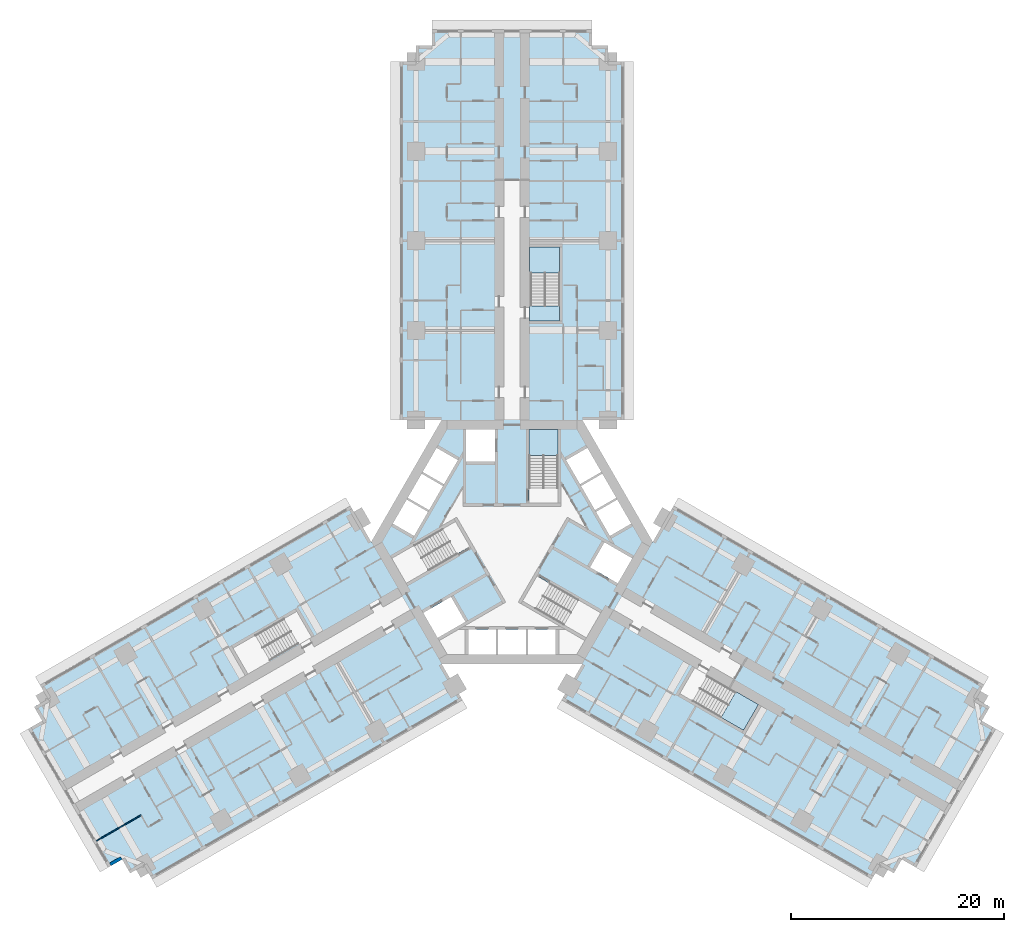
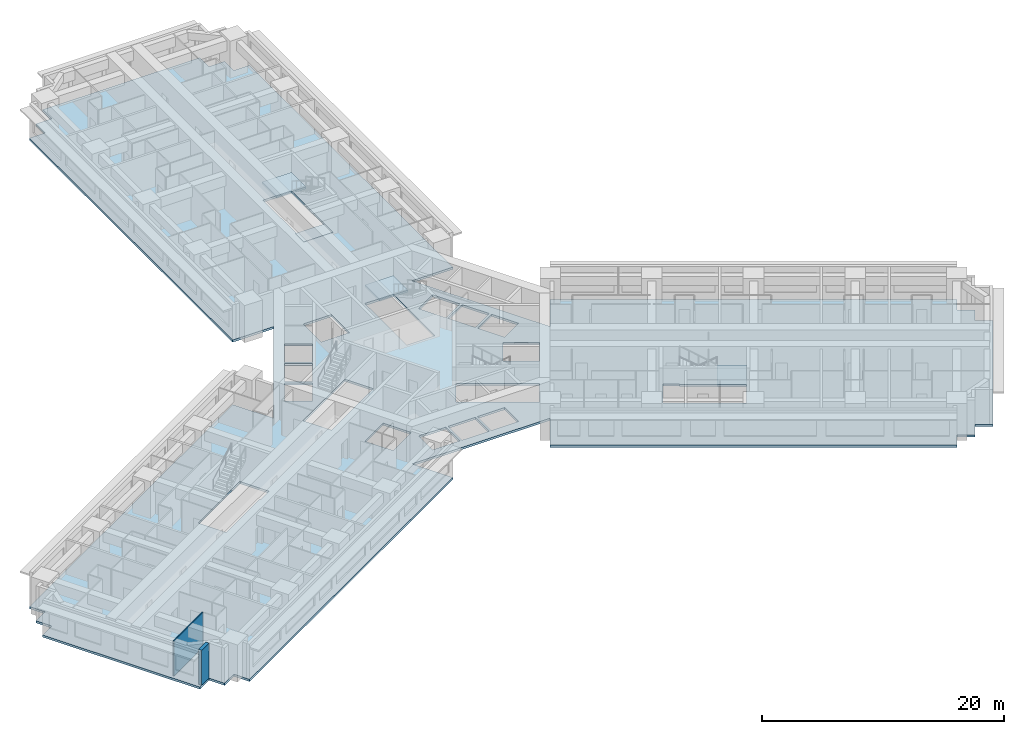
# One storey, part 2 of 16: 5 slabs, 2 walls, 3 elements without a shape of their own.
"""IFC4 building model written with IfcOpenShell, lengths in metres."""

from ifc_helpers import new_model, si_unit, direction, frame, frame_2d, origin, place, context, subcontext, project, spatial, polyline, rectangle, outline, extrude, material, layer, layer_set, type_object, element, aggregate, save


model = new_model("IFC4")

# Units and contexts
model_context = context("Model", 3, precision=1e-05, world=origin(), true_north=direction((0.0, 1.0)))
body_context = subcontext(model_context, "Body", "Model", "MODEL_VIEW")
ifc_project = project(units=[si_unit("LENGTHUNIT", "METRE"), si_unit("AREAUNIT", "SQUARE_METRE"), si_unit("VOLUMEUNIT", "CUBIC_METRE"), si_unit("PLANEANGLEUNIT", "RADIAN"), si_unit("MASSUNIT", "GRAM", prefix="KILO")], contexts=[model_context])

# Site, building, storey
site_placement = place(None, origin())
site = spatial("IfcSite", under=ifc_project, at=site_placement, CompositionType="ELEMENT")
building_placement = place(site_placement, origin())
building = spatial("IfcBuilding", under=site, at=building_placement, Name="Impinga Residences", CompositionType="ELEMENT")
storey_placement = place(building_placement, frame((0.0, 0.0, 48.5)))
storey = spatial("IfcBuildingStorey", under=building, at=storey_placement, Name="L11", CompositionType="ELEMENT", Elevation=48.5)

# Slab
ifc_material_1 = material(Name="Concrete C60/75", Category="concrete")
ifc_layer_1 = layer(ifc_material_1, 0.219970703125)
ifc_layer_set_1 = layer_set([ifc_layer_1], Name="Concrete C60/75")
slab_type_1 = type_object("IfcSlabType", Name="FS1 tower floor slab 220", PredefinedType="FLOOR", material=ifc_layer_set_1)
slab_1_placement = place(storey_placement, frame((0.0, 0.0, -0.219970703125)))
element("IfcSlab", 1, at=slab_1_placement, inside=storey, type_object=slab_type_1, Name="Floor slab FS1 L11", PredefinedType="FLOOR", context=body_context, shape_type="SweptSolid", body=[
    extrude(outline(polyline([(-34.49853515625, -30.31005859375), (-35.797607421875, -31.06005859375), (-36.547607421875, -29.760986328125), (-37.846435546875, -30.510986328125), (-45.346435546875, -17.5205078125), (-44.047607421875, -16.7705078125), (-44.797607421875, -15.471435546875), (-43.49853515625, -14.721435546875), (-44.24853515625, -13.422607421875), (-15.14990234375, 3.37744140625), (-13.199951171875, 0.0), (-6.60009765625, 11.431640625), (-10.5, 11.431640625), (-10.5, 45.031494140625), (-9.0, 45.031494140625), (-9.0, 46.531494140625), (-7.5, 46.531494140625), (-7.5, 48.031494140625), (7.5, 48.031494140625), (7.5, 46.531494140625), (9.0, 46.531494140625), (9.0, 45.031494140625), (10.5, 45.031494140625), (10.5, 11.431640625), (6.60009765625, 11.431640625), (13.199951171875, 0.0), (15.14990234375, 3.37744140625), (44.24853515625, -13.422607421875), (43.49853515625, -14.721435546875), (44.797607421875, -15.471435546875), (44.047607421875, -16.7705078125), (45.346435546875, -17.5205078125), (37.846435546875, -30.510986328125), (36.547607421875, -29.760986328125), (35.797607421875, -31.06005859375), (34.49853515625, -30.31005859375), (33.74853515625, -31.609130859375), (4.64990234375, -14.80908203125), (9.900146484375, -5.7158203125), (6.60009765625, -11.431640625), (-6.60009765625, -11.431640625), (-9.900146484375, -5.7158203125), (-4.64990234375, -14.80908203125), (-33.74853515625, -31.609130859375), (-34.49853515625, -30.31005859375)]), holes=[polyline([(-21.391357421875, -7.2119140625), (-26.154541015625, -9.9619140625), (-24.8046875, -12.30029296875), (-20.04150390625, -9.55029296875), (-19.991455078125, -9.63671875), (-18.779052734375, -8.936767578125), (-18.8291015625, -8.850341796875), (-18.8291015625, -8.850341796875), (-20.178955078125, -6.511962890625), (-21.391357421875, -7.2119140625), (-21.391357421875, -7.2119140625)]), polyline([(-1.5, -8.2314453125), (-4.10009765625, -8.2314453125), (-4.10009765625, -10.531494140625), (-1.5, -10.531494140625), (-1.5, -8.2314453125)]), polyline([(1.300048828125, -8.2314453125), (-1.300048828125, -8.2314453125), (-1.300048828125, -10.531494140625), (1.300048828125, -10.531494140625), (1.300048828125, -8.2314453125)]), polyline([(1.5, -8.2314453125), (1.5, -10.531494140625), (4.10009765625, -10.531494140625), (4.10009765625, -8.2314453125), (1.5, -8.2314453125)]), polyline([(-5.72119140625, -5.150634765625), (-8.320556640625, -6.6513671875), (-6.970458984375, -8.98974609375), (-4.37109375, -7.489013671875), (-5.72119140625, -5.150634765625)]), polyline([(-3.943603515625, -0.429443359375), (-5.293701171875, 1.908935546875), (-11.2705078125, -1.541748046875), (-9.920654296875, -3.880126953125), (-3.943603515625, -0.429443359375)]), polyline([(-9.1787109375, 0.56494140625), (-7.878662109375, 2.816650390625), (-9.87060546875, 3.966796875), (-11.170654296875, 1.715087890625), (-9.1787109375, 0.56494140625)]), polyline([(-6.478759765625, 5.24169921875), (-8.470458984375, 6.3916015625), (-9.7705078125, 4.139892578125), (-7.77880859375, 2.989990234375), (-6.478759765625, 5.24169921875)]), polyline([(-6.378662109375, 5.414794921875), (-5.07861328125, 7.66650390625), (-7.070556640625, 8.81640625), (-8.37060546875, 6.564697265625), (-6.378662109375, 5.414794921875)]), polyline([(-4.300048828125, 7.530029296875), (-1.60009765625, 7.530029296875), (-1.60009765625, 10.531494140625), (-4.300048828125, 10.531494140625), (-4.300048828125, 7.530029296875)]), polyline([(15.72900390625, -14.219482421875), (21.70458984375, -17.669677734375), (23.0546875, -15.331298828125), (18.29150390625, -12.581298828125), (18.341552734375, -12.49462890625), (17.129150390625, -11.794677734375), (15.72900390625, -14.219482421875)]), polyline([(0.99365234375, -5.538818359375), (6.970458984375, -8.98974609375), (8.320556640625, -6.6513671875), (2.34375, -3.20068359375), (0.99365234375, -5.538818359375)]), polyline([(8.671142578125, -0.041015625), (7.3212890625, -2.37939453125), (9.920654296875, -3.880126953125), (11.2705078125, -1.541748046875), (8.671142578125, -0.041015625)]), polyline([(7.878662109375, 2.816650390625), (9.1787109375, 0.56494140625), (11.170654296875, 1.715087890625), (9.87060546875, 3.966796875), (7.878662109375, 2.816650390625)]), polyline([(7.77880859375, 2.989990234375), (9.7705078125, 4.139892578125), (8.470458984375, 6.3916015625), (6.478759765625, 5.24169921875), (7.77880859375, 2.989990234375)]), polyline([(1.60009765625, 3.6298828125), (4.300048828125, 3.6298828125), (4.300048828125, 10.531494140625), (1.60009765625, 10.531494140625), (1.60009765625, 3.6298828125)]), polyline([(5.07861328125, 7.66650390625), (6.378662109375, 5.414794921875), (8.37060546875, 6.564697265625), (7.070556640625, 8.81640625), (5.07861328125, 7.66650390625)]), polyline([(1.75, 22.131591796875), (1.64990234375, 22.131591796875), (1.64990234375, 20.7314453125), (1.75, 20.7314453125), (4.449951171875, 20.7314453125), (4.449951171875, 22.131591796875), (4.449951171875, 27.631591796875), (1.75, 27.631591796875), (1.75, 22.131591796875)])]), origin(), (0.0, 0.0, 1.0), 0.219970703125),
])

# Stair, slab
ifc_material_2 = material(Name="Concrete C40/50", Category="concrete")
stair_type_1 = type_object("IfcStairType", Name="STR core stair 3750 storey, 24 risers", PredefinedType="HALF_TURN_STAIR", material=ifc_material_2)
stair_1_placement = place(storey_placement, origin())
stair_1 = element("IfcStair", 2, at=stair_1_placement, inside=storey, type_object=stair_type_1, Name="Stair ST1 L11", PredefinedType="HALF_TURN_STAIR")
ifc_layer_2 = layer(ifc_material_2, 0.199951171875)
ifc_layer_set_2 = layer_set([ifc_layer_2], Name="Concrete C40/50")
slab_type_2 = type_object("IfcSlabType", Name="LS1 stair landing 200", PredefinedType="LANDING", material=ifc_layer_set_2)
slab_2_placement = place(storey_placement, frame((0.0, 0.0, 1.675048828125)))
slab_2 = element("IfcSlab", 3, at=slab_2_placement, type_object=slab_type_2, Name="ST1 landing 2", PredefinedType="LANDING", context=body_context, shape_type="SweptSolid", body=[
    extrude(outline(polyline([(1.60009765625, 8.10009765625), (4.300048828125, 8.10009765625), (4.300048828125, 10.531494140625), (1.60009765625, 10.531494140625), (1.60009765625, 8.10009765625)])), origin(), (0.0, 0.0, 1.0), 0.199951171875),
])
aggregate(stair_1, [slab_2])

# Stair, slabs
stair_type_2 = type_object("IfcStairType", Name="STR wing stair 3750 storey, 24 risers", PredefinedType="HALF_TURN_STAIR", material=ifc_material_2)
stair_2_placement = place(storey_placement, origin())
stair_2 = element("IfcStair", 4, at=stair_2_placement, inside=storey, type_object=stair_type_2, Name="Stair WS1 L11", PredefinedType="HALF_TURN_STAIR")
slab_3_placement = place(storey_placement, frame((0.0, 0.0, -0.199951171875)))
slab_3 = element("IfcSlab", 5, at=slab_3_placement, type_object=slab_type_2, Name="WS1 landing 1", PredefinedType="LANDING", context=body_context, shape_type="SweptSolid", body=[
    extrude(outline(polyline([(1.64990234375, 20.7314453125), (4.449951171875, 20.7314453125), (4.449951171875, 22.1416015625), (1.64990234375, 22.1416015625), (1.64990234375, 20.7314453125)])), origin(), (0.0, 0.0, 1.0), 0.199951171875),
])
slab_4_placement = place(storey_placement, frame((0.0, 0.0, 1.675048828125)))
slab_4 = element("IfcSlab", 6, at=slab_4_placement, type_object=slab_type_2, Name="WS1 landing 2", PredefinedType="LANDING", context=body_context, shape_type="SweptSolid", body=[
    extrude(outline(polyline([(1.64990234375, 25.201416015625), (4.449951171875, 25.201416015625), (4.449951171875, 27.631591796875), (1.64990234375, 27.631591796875), (1.64990234375, 25.201416015625)])), origin(), (0.0, 0.0, 1.0), 0.199951171875),
])
aggregate(stair_2, [slab_3, slab_4])

# Stair, slab
stair_3_placement = place(storey_placement, origin())
stair_3 = element("IfcStair", 7, at=stair_3_placement, inside=storey, type_object=stair_type_2, Name="Stair WS3 L11", PredefinedType="HALF_TURN_STAIR")
slab_5_placement = place(storey_placement, frame((0.0, 0.0, 1.675048828125)))
slab_5 = element("IfcSlab", 8, at=slab_5_placement, type_object=slab_type_2, Name="WS3 landing 2", PredefinedType="LANDING", context=body_context, shape_type="SweptSolid", body=[
    extrude(outline(polyline([(21.000244140625, -14.02978515625), (19.60009765625, -16.45458984375), (21.70458984375, -17.669677734375), (23.1044921875, -15.24462890625), (21.000244140625, -14.02978515625)])), origin(), (0.0, 0.0, 1.0), 0.199951171875),
])
aggregate(stair_3, [slab_5])

# Walls
ifc_material_3 = material(Name="Terracotta rainscreen on blockwork", Category="masonry")
ifc_layer_3 = layer(ifc_material_3, 0.300048828125)
ifc_layer_set_3 = layer_set([ifc_layer_3], Name="EW1 external wall, terracotta rainscreen on blockwork 300")
wall_type_1 = type_object("IfcWallType", Name="EW1 external wall, terracotta rainscreen on blockwork 300", PredefinedType="SOLIDWALL", material=ifc_layer_set_3)
wall_1_placement = place(storey_placement, frame((-36.626708984375, -29.633544921875, 0.0), z_axis=(0.0, 0.0, 1.0), x_axis=(-0.866059708757, -0.499940577336, 0.0)))
element("IfcWall", 9, at=wall_1_placement, inside=storey, type_object=wall_type_1, Name="External wall EW1 L11", PredefinedType="SOLIDWALL", context=body_context, shape_type="SweptSolid", body=[
    extrude(rectangle(XDim=1.195068359375, YDim=0.300048828125, at=frame_2d((0.59765625, 0.0))), origin(), (0.0, 0.0, 1.0), 3.530029296875),
])
ifc_material_4 = material(Name="Gypsum board on steel studs", Category="steel")
ifc_layer_4 = layer(ifc_material_4, 0.10009765625)
ifc_layer_set_4 = layer_set([ifc_layer_4], Name="Gypsum board on steel studs")
wall_type_2 = type_object("IfcWallType", Name="IP1 partition 100", PredefinedType="PARTITIONING", material=ifc_layer_set_4)
wall_2_placement = place(storey_placement, frame((-34.77978515625, -25.622802734375, 0.0), z_axis=(0.0, 0.0, 1.0), x_axis=(-0.866037363387, -0.499979284789, 0.0)))
element("IfcWall", 10, at=wall_2_placement, inside=storey, type_object=wall_type_2, Name="Partition L11-WA5:DIV1", PredefinedType="PARTITIONING", context=body_context, shape_type="SweptSolid", body=[
    extrude(rectangle(XDim=4.800048828125, YDim=0.10009765625, at=frame_2d((2.39990234375, 0.0))), origin(), (0.0, 0.0, 1.0), 3.530029296875),
])

save(model, "model.ifc")
